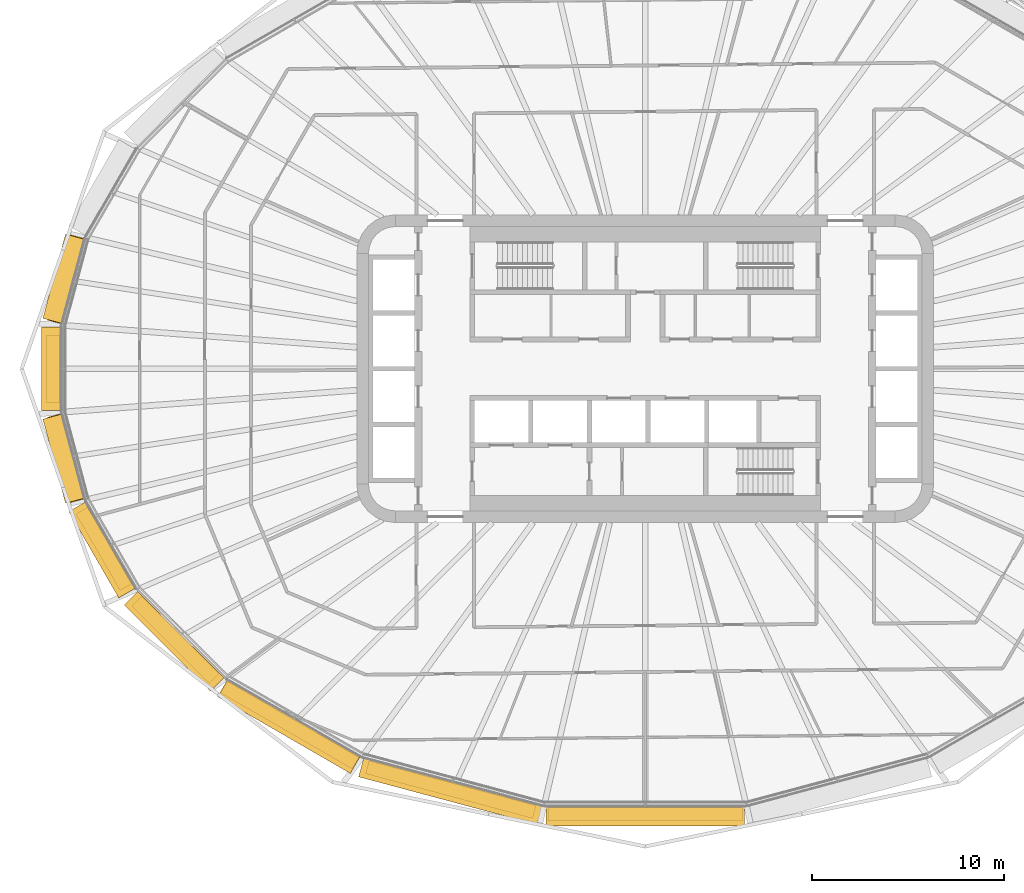
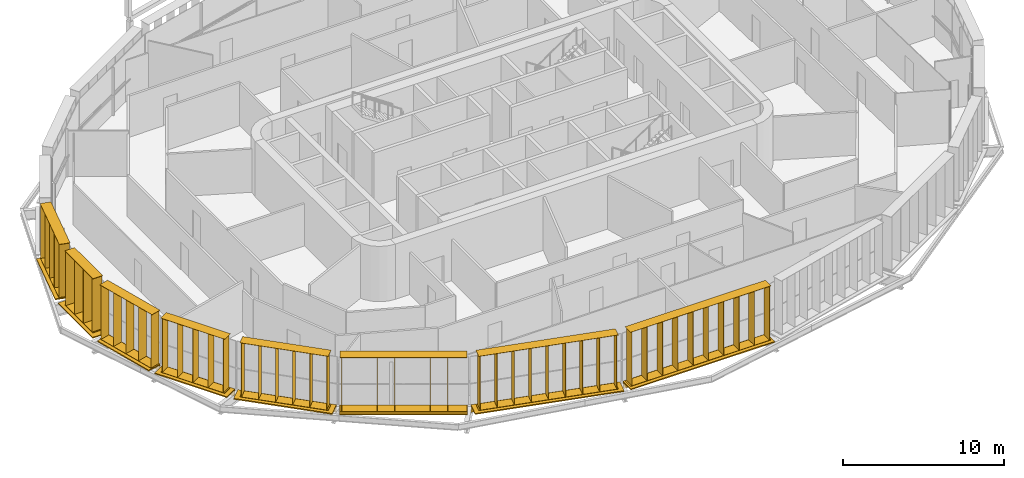
# One storey, part 17 of 22: 16 shading devices.
"""IFC4 building model written with IfcOpenShell, lengths in metres."""

from ifc_helpers import new_model, si_unit, direction, frame, origin, origin_2d, place, context, subcontext, project, spatial, rectangle, extrude, material, type_object, element, save


model = new_model("IFC4")

# Units and contexts
model_context = context("Model", 3, precision=1e-05, world=origin(), true_north=direction((0.0, 1.0)))
body_context = subcontext(model_context, "Body", "Model", "MODEL_VIEW")
ifc_project = project(units=[si_unit("LENGTHUNIT", "METRE"), si_unit("AREAUNIT", "SQUARE_METRE"), si_unit("VOLUMEUNIT", "CUBIC_METRE"), si_unit("PLANEANGLEUNIT", "RADIAN"), si_unit("MASSUNIT", "GRAM", prefix="KILO")], contexts=[model_context])

# Site, building, storey
site_placement = place(None, origin())
site = spatial("IfcSite", under=ifc_project, at=site_placement, CompositionType="ELEMENT")
building_placement = place(site_placement, origin())
building = spatial("IfcBuilding", under=site, at=building_placement, Name="Sahrelin Media Tower", CompositionType="ELEMENT")
storey_placement = place(building_placement, frame((0.0, 0.0, 50.39990234375)))
storey = spatial("IfcBuildingStorey", under=building, at=storey_placement, Name="L07", CompositionType="ELEMENT", Elevation=50.39990234375)

# Shading devices
ifc_material = material(Name="Champagne anodised aluminium 6063-T6", Category="aluminium")
shading_device_type_1 = type_object("IfcShadingDeviceType", Name="Fin cassette", PredefinedType="USERDEFINED", material=ifc_material)
placement_1 = place(storey_placement, frame((-29.755126953125, 4.5458984375, 0.0), z_axis=(0.0, 0.0, 1.0), x_axis=(0.258807731996, 0.965928857556, 0.0)))
element("IfcShadingDevice", 1, at=placement_1, inside=storey, type_object=shading_device_type_1, Name="L07:FIN:L07-11", ObjectType="FIN", PredefinedType="USERDEFINED", context=body_context, shape_type="SweptSolid", body=[
    extrude(rectangle(XDim=4.60009765625, YDim=0.699951171875, at=origin_2d()), frame((0.0, 0.419921875, 0.0)), (0.0, 0.0, 1.0), 0.02001953125),
    extrude(rectangle(XDim=4.60009765625, YDim=0.699951171875, at=origin_2d()), frame((0.0, 0.419921875, 4.10009765625)), (0.0, 0.0, 1.0), 0.02001953125),
    extrude(rectangle(XDim=0.02001953125, YDim=0.699951171875, at=origin_2d()), frame((-2.199951171875, 0.419921875, 0.010009765625), z_axis=(0.0, 0.0, 1.0), x_axis=(1.0, 0.0, 0.0)), (0.0, 0.0, 1.0), 4.10009765625),
    extrude(rectangle(XDim=0.02001953125, YDim=0.699951171875, at=origin_2d()), frame((-1.10009765625, 0.419921875, 0.010009765625), z_axis=(0.0, 0.0, 1.0), x_axis=(1.0, 0.0, 0.0)), (0.0, 0.0, 1.0), 4.10009765625),
    extrude(rectangle(XDim=0.02001953125, YDim=0.699951171875, at=origin_2d()), frame((0.0, 0.419921875, 0.010009765625), z_axis=(0.0, 0.0, 1.0), x_axis=(1.0, 0.0, 0.0)), (0.0, 0.0, 1.0), 4.10009765625),
    extrude(rectangle(XDim=0.02001953125, YDim=0.699951171875, at=origin_2d()), frame((1.10009765625, 0.419921875, 0.010009765625), z_axis=(0.0, 0.0, 1.0), x_axis=(1.0, 0.0, 0.0)), (0.0, 0.0, 1.0), 4.10009765625),
    extrude(rectangle(XDim=0.02001953125, YDim=0.699951171875, at=origin_2d()), frame((2.199951171875, 0.419921875, 0.010009765625), z_axis=(0.0, 0.0, 1.0), x_axis=(1.0, 0.0, 0.0)), (0.0, 0.0, 1.0), 4.10009765625),
])
placement_2 = place(storey_placement, frame((-30.3671875, 0.0, 0.0), z_axis=(0.0, 0.0, 1.0), x_axis=(0.0, 1.0, 0.0)))
element("IfcShadingDevice", 2, at=placement_2, inside=storey, type_object=shading_device_type_1, Name="L07:FIN:L07-12", ObjectType="FIN", PredefinedType="USERDEFINED", context=body_context, shape_type="SweptSolid", body=[
    extrude(rectangle(XDim=3.5, YDim=0.699951171875, at=origin_2d()), frame((0.0, 0.419921875, 0.0)), (0.0, 0.0, 1.0), 0.02001953125),
    extrude(rectangle(XDim=3.5, YDim=0.699951171875, at=origin_2d()), frame((0.0, 0.419921875, 4.10009765625)), (0.0, 0.0, 1.0), 0.02001953125),
    extrude(rectangle(XDim=0.02001953125, YDim=0.699951171875, at=origin_2d()), frame((-1.64990234375, 0.419921875, 0.010009765625), z_axis=(0.0, 0.0, 1.0), x_axis=(1.0, 0.0, 0.0)), (0.0, 0.0, 1.0), 4.10009765625),
    extrude(rectangle(XDim=0.02001953125, YDim=0.699951171875, at=origin_2d()), frame((-0.550048828125, 0.419921875, 0.010009765625), z_axis=(0.0, 0.0, 1.0), x_axis=(1.0, 0.0, 0.0)), (0.0, 0.0, 1.0), 4.10009765625),
    extrude(rectangle(XDim=0.02001953125, YDim=0.699951171875, at=origin_2d()), frame((0.550048828125, 0.419921875, 0.010009765625), z_axis=(0.0, 0.0, 1.0), x_axis=(1.0, 0.0, 0.0)), (0.0, 0.0, 1.0), 4.10009765625),
    extrude(rectangle(XDim=0.02001953125, YDim=0.699951171875, at=origin_2d()), frame((1.64990234375, 0.419921875, 0.010009765625), z_axis=(0.0, 0.0, 1.0), x_axis=(1.0, 0.0, 0.0)), (0.0, 0.0, 1.0), 4.10009765625),
])
placement_3 = place(storey_placement, frame((-29.755126953125, -4.5458984375, 0.0), z_axis=(0.0, 0.0, 1.0), x_axis=(-0.258807731996, 0.965928857556, 0.0)))
element("IfcShadingDevice", 3, at=placement_3, inside=storey, type_object=shading_device_type_1, Name="L07:FIN:L07-13", ObjectType="FIN", PredefinedType="USERDEFINED", context=body_context, shape_type="SweptSolid", body=[
    extrude(rectangle(XDim=4.60009765625, YDim=0.699951171875, at=origin_2d()), frame((0.0, 0.419921875, 0.0)), (0.0, 0.0, 1.0), 0.02001953125),
    extrude(rectangle(XDim=4.60009765625, YDim=0.699951171875, at=origin_2d()), frame((0.0, 0.419921875, 4.10009765625)), (0.0, 0.0, 1.0), 0.02001953125),
    extrude(rectangle(XDim=0.02001953125, YDim=0.699951171875, at=origin_2d()), frame((-2.199951171875, 0.419921875, 0.010009765625), z_axis=(0.0, 0.0, 1.0), x_axis=(1.0, 0.0, 0.0)), (0.0, 0.0, 1.0), 4.10009765625),
    extrude(rectangle(XDim=0.02001953125, YDim=0.699951171875, at=origin_2d()), frame((-1.10009765625, 0.419921875, 0.010009765625), z_axis=(0.0, 0.0, 1.0), x_axis=(1.0, 0.0, 0.0)), (0.0, 0.0, 1.0), 4.10009765625),
    extrude(rectangle(XDim=0.02001953125, YDim=0.699951171875, at=origin_2d()), frame((0.0, 0.419921875, 0.010009765625), z_axis=(0.0, 0.0, 1.0), x_axis=(1.0, 0.0, 0.0)), (0.0, 0.0, 1.0), 4.10009765625),
    extrude(rectangle(XDim=0.02001953125, YDim=0.699951171875, at=origin_2d()), frame((1.10009765625, 0.419921875, 0.010009765625), z_axis=(0.0, 0.0, 1.0), x_axis=(1.0, 0.0, 0.0)), (0.0, 0.0, 1.0), 4.10009765625),
    extrude(rectangle(XDim=0.02001953125, YDim=0.699951171875, at=origin_2d()), frame((2.199951171875, 0.419921875, 0.010009765625), z_axis=(0.0, 0.0, 1.0), x_axis=(1.0, 0.0, 0.0)), (0.0, 0.0, 1.0), 4.10009765625),
])
placement_4 = place(storey_placement, frame((-27.79638671875, -9.162841796875, 0.0), z_axis=(0.0, 0.0, 1.0), x_axis=(-0.500011000363, 0.866019052629, 0.0)))
element("IfcShadingDevice", 4, at=placement_4, inside=storey, type_object=shading_device_type_1, Name="L07:FIN:L07-14", ObjectType="FIN", PredefinedType="USERDEFINED", context=body_context, shape_type="SweptSolid", body=[
    extrude(rectangle(XDim=4.60009765625, YDim=0.699951171875, at=origin_2d()), frame((0.0, 0.419921875, 0.0)), (0.0, 0.0, 1.0), 0.02001953125),
    extrude(rectangle(XDim=4.60009765625, YDim=0.699951171875, at=origin_2d()), frame((0.0, 0.419921875, 4.10009765625)), (0.0, 0.0, 1.0), 0.02001953125),
    extrude(rectangle(XDim=0.02001953125, YDim=0.699951171875, at=origin_2d()), frame((-2.199951171875, 0.419921875, 0.010009765625), z_axis=(0.0, 0.0, 1.0), x_axis=(1.0, 0.0, 0.0)), (0.0, 0.0, 1.0), 4.10009765625),
    extrude(rectangle(XDim=0.02001953125, YDim=0.699951171875, at=origin_2d()), frame((-1.10009765625, 0.419921875, 0.010009765625), z_axis=(0.0, 0.0, 1.0), x_axis=(1.0, 0.0, 0.0)), (0.0, 0.0, 1.0), 4.10009765625),
    extrude(rectangle(XDim=0.02001953125, YDim=0.699951171875, at=origin_2d()), frame((0.0, 0.419921875, 0.010009765625), z_axis=(0.0, 0.0, 1.0), x_axis=(1.0, 0.0, 0.0)), (0.0, 0.0, 1.0), 4.10009765625),
    extrude(rectangle(XDim=0.02001953125, YDim=0.699951171875, at=origin_2d()), frame((1.10009765625, 0.419921875, 0.010009765625), z_axis=(0.0, 0.0, 1.0), x_axis=(1.0, 0.0, 0.0)), (0.0, 0.0, 1.0), 4.10009765625),
    extrude(rectangle(XDim=0.02001953125, YDim=0.699951171875, at=origin_2d()), frame((2.199951171875, 0.419921875, 0.010009765625), z_axis=(0.0, 0.0, 1.0), x_axis=(1.0, 0.0, 0.0)), (0.0, 0.0, 1.0), 4.10009765625),
])
placement_5 = place(storey_placement, frame((-24.13427734375, -13.810791015625, 0.0), z_axis=(0.0, 0.0, 1.0), x_axis=(-0.707106781187, 0.707106781187, 0.0)))
element("IfcShadingDevice", 5, at=placement_5, inside=storey, type_object=shading_device_type_1, Name="L07:FIN:L07-15", ObjectType="FIN", PredefinedType="USERDEFINED", context=body_context, shape_type="SweptSolid", body=[
    extrude(rectangle(XDim=5.699951171875, YDim=0.699951171875, at=origin_2d()), frame((0.0, 0.419921875, 0.0)), (0.0, 0.0, 1.0), 0.02001953125),
    extrude(rectangle(XDim=5.699951171875, YDim=0.699951171875, at=origin_2d()), frame((0.0, 0.419921875, 4.10009765625)), (0.0, 0.0, 1.0), 0.02001953125),
    extrude(rectangle(XDim=0.02001953125, YDim=0.699951171875, at=origin_2d()), frame((-2.75, 0.419921875, 0.010009765625), z_axis=(0.0, 0.0, 1.0), x_axis=(1.0, 0.0, 0.0)), (0.0, 0.0, 1.0), 4.10009765625),
    extrude(rectangle(XDim=0.02001953125, YDim=0.699951171875, at=origin_2d()), frame((-1.64990234375, 0.419921875, 0.010009765625), z_axis=(0.0, 0.0, 1.0), x_axis=(1.0, 0.0, 0.0)), (0.0, 0.0, 1.0), 4.10009765625),
    extrude(rectangle(XDim=0.02001953125, YDim=0.699951171875, at=origin_2d()), frame((-0.550048828125, 0.419921875, 0.010009765625), z_axis=(0.0, 0.0, 1.0), x_axis=(1.0, 0.0, 0.0)), (0.0, 0.0, 1.0), 4.10009765625),
    extrude(rectangle(XDim=0.02001953125, YDim=0.699951171875, at=origin_2d()), frame((0.550048828125, 0.419921875, 0.010009765625), z_axis=(0.0, 0.0, 1.0), x_axis=(1.0, 0.0, 0.0)), (0.0, 0.0, 1.0), 4.10009765625),
    extrude(rectangle(XDim=0.02001953125, YDim=0.699951171875, at=origin_2d()), frame((1.64990234375, 0.419921875, 0.010009765625), z_axis=(0.0, 0.0, 1.0), x_axis=(1.0, 0.0, 0.0)), (0.0, 0.0, 1.0), 4.10009765625),
    extrude(rectangle(XDim=0.02001953125, YDim=0.699951171875, at=origin_2d()), frame((2.75, 0.419921875, 0.010009765625), z_axis=(0.0, 0.0, 1.0), x_axis=(1.0, 0.0, 0.0)), (0.0, 0.0, 1.0), 4.10009765625),
])
placement_6 = place(storey_placement, frame((-18.27880859375, -18.170166015625, 0.0), z_axis=(0.0, 0.0, 1.0), x_axis=(-0.866019052629, 0.500011000363, 0.0)))
element("IfcShadingDevice", 6, at=placement_6, inside=storey, type_object=shading_device_type_1, Name="L07:FIN:L07-16", ObjectType="FIN", PredefinedType="USERDEFINED", context=body_context, shape_type="SweptSolid", body=[
    extrude(rectangle(XDim=7.89990234375, YDim=0.699951171875, at=origin_2d()), frame((0.0, 0.419921875, 0.0)), (0.0, 0.0, 1.0), 0.02001953125),
    extrude(rectangle(XDim=7.89990234375, YDim=0.699951171875, at=origin_2d()), frame((0.0, 0.419921875, 4.10009765625)), (0.0, 0.0, 1.0), 0.02001953125),
    extrude(rectangle(XDim=0.02001953125, YDim=0.699951171875, at=origin_2d()), frame((-3.85009765625, 0.419921875, 0.010009765625), z_axis=(0.0, 0.0, 1.0), x_axis=(1.0, 0.0, 0.0)), (0.0, 0.0, 1.0), 4.10009765625),
    extrude(rectangle(XDim=0.02001953125, YDim=0.699951171875, at=origin_2d()), frame((-2.75, 0.419921875, 0.010009765625), z_axis=(0.0, 0.0, 1.0), x_axis=(1.0, 0.0, 0.0)), (0.0, 0.0, 1.0), 4.10009765625),
    extrude(rectangle(XDim=0.02001953125, YDim=0.699951171875, at=origin_2d()), frame((-1.64990234375, 0.419921875, 0.010009765625), z_axis=(0.0, 0.0, 1.0), x_axis=(1.0, 0.0, 0.0)), (0.0, 0.0, 1.0), 4.10009765625),
    extrude(rectangle(XDim=0.02001953125, YDim=0.699951171875, at=origin_2d()), frame((-0.550048828125, 0.419921875, 0.010009765625), z_axis=(0.0, 0.0, 1.0), x_axis=(1.0, 0.0, 0.0)), (0.0, 0.0, 1.0), 4.10009765625),
    extrude(rectangle(XDim=0.02001953125, YDim=0.699951171875, at=origin_2d()), frame((0.550048828125, 0.419921875, 0.010009765625), z_axis=(0.0, 0.0, 1.0), x_axis=(1.0, 0.0, 0.0)), (0.0, 0.0, 1.0), 4.10009765625),
    extrude(rectangle(XDim=0.02001953125, YDim=0.699951171875, at=origin_2d()), frame((1.64990234375, 0.419921875, 0.010009765625), z_axis=(0.0, 0.0, 1.0), x_axis=(1.0, 0.0, 0.0)), (0.0, 0.0, 1.0), 4.10009765625),
    extrude(rectangle(XDim=0.02001953125, YDim=0.699951171875, at=origin_2d()), frame((2.75, 0.419921875, 0.010009765625), z_axis=(0.0, 0.0, 1.0), x_axis=(1.0, 0.0, 0.0)), (0.0, 0.0, 1.0), 4.10009765625),
    extrude(rectangle(XDim=0.02001953125, YDim=0.699951171875, at=origin_2d()), frame((3.85009765625, 0.419921875, 0.010009765625), z_axis=(0.0, 0.0, 1.0), x_axis=(1.0, 0.0, 0.0)), (0.0, 0.0, 1.0), 4.10009765625),
])
placement_7 = place(storey_placement, frame((-10.003173828125, -21.48291015625, 0.0), z_axis=(0.0, 0.0, 1.0), x_axis=(-0.965928857556, 0.258807731996, 0.0)))
element("IfcShadingDevice", 7, at=placement_7, inside=storey, type_object=shading_device_type_1, Name="L07:FIN:L07-17", ObjectType="FIN", PredefinedType="USERDEFINED", context=body_context, shape_type="SweptSolid", body=[
    extrude(rectangle(XDim=9.0, YDim=0.699951171875, at=origin_2d()), frame((0.0, 0.419921875, 0.0)), (0.0, 0.0, 1.0), 0.02001953125),
    extrude(rectangle(XDim=9.0, YDim=0.699951171875, at=origin_2d()), frame((0.0, 0.419921875, 4.10009765625)), (0.0, 0.0, 1.0), 0.02001953125),
    extrude(rectangle(XDim=0.02001953125, YDim=0.699951171875, at=origin_2d()), frame((-4.39990234375, 0.419921875, 0.010009765625), z_axis=(0.0, 0.0, 1.0), x_axis=(1.0, 0.0, 0.0)), (0.0, 0.0, 1.0), 4.10009765625),
    extrude(rectangle(XDim=0.02001953125, YDim=0.699951171875, at=origin_2d()), frame((-3.300048828125, 0.419921875, 0.010009765625), z_axis=(0.0, 0.0, 1.0), x_axis=(1.0, 0.0, 0.0)), (0.0, 0.0, 1.0), 4.10009765625),
    extrude(rectangle(XDim=0.02001953125, YDim=0.699951171875, at=origin_2d()), frame((-2.199951171875, 0.419921875, 0.010009765625), z_axis=(0.0, 0.0, 1.0), x_axis=(1.0, 0.0, 0.0)), (0.0, 0.0, 1.0), 4.10009765625),
    extrude(rectangle(XDim=0.02001953125, YDim=0.699951171875, at=origin_2d()), frame((-1.10009765625, 0.419921875, 0.010009765625), z_axis=(0.0, 0.0, 1.0), x_axis=(1.0, 0.0, 0.0)), (0.0, 0.0, 1.0), 4.10009765625),
    extrude(rectangle(XDim=0.02001953125, YDim=0.699951171875, at=origin_2d()), frame((0.0, 0.419921875, 0.010009765625), z_axis=(0.0, 0.0, 1.0), x_axis=(1.0, 0.0, 0.0)), (0.0, 0.0, 1.0), 4.10009765625),
    extrude(rectangle(XDim=0.02001953125, YDim=0.699951171875, at=origin_2d()), frame((1.10009765625, 0.419921875, 0.010009765625), z_axis=(0.0, 0.0, 1.0), x_axis=(1.0, 0.0, 0.0)), (0.0, 0.0, 1.0), 4.10009765625),
    extrude(rectangle(XDim=0.02001953125, YDim=0.699951171875, at=origin_2d()), frame((2.199951171875, 0.419921875, 0.010009765625), z_axis=(0.0, 0.0, 1.0), x_axis=(1.0, 0.0, 0.0)), (0.0, 0.0, 1.0), 4.10009765625),
    extrude(rectangle(XDim=0.02001953125, YDim=0.699951171875, at=origin_2d()), frame((3.300048828125, 0.419921875, 0.010009765625), z_axis=(0.0, 0.0, 1.0), x_axis=(1.0, 0.0, 0.0)), (0.0, 0.0, 1.0), 4.10009765625),
    extrude(rectangle(XDim=0.02001953125, YDim=0.699951171875, at=origin_2d()), frame((4.39990234375, 0.419921875, 0.010009765625), z_axis=(0.0, 0.0, 1.0), x_axis=(1.0, 0.0, 0.0)), (0.0, 0.0, 1.0), 4.10009765625),
])
placement_8 = place(storey_placement, frame((0.0, -22.751708984375, 0.0), z_axis=(0.0, 0.0, 1.0), x_axis=(-1.0, 0.0, 0.0)))
element("IfcShadingDevice", 8, at=placement_8, inside=storey, type_object=shading_device_type_1, Name="L07:FIN:L07-18", ObjectType="FIN", PredefinedType="USERDEFINED", context=body_context, shape_type="SweptSolid", body=[
    extrude(rectangle(XDim=10.10009765625, YDim=0.699951171875, at=origin_2d()), frame((0.0, 0.419921875, 0.0)), (0.0, 0.0, 1.0), 0.02001953125),
    extrude(rectangle(XDim=10.10009765625, YDim=0.699951171875, at=origin_2d()), frame((0.0, 0.419921875, 4.10009765625)), (0.0, 0.0, 1.0), 0.02001953125),
    extrude(rectangle(XDim=0.02001953125, YDim=0.699951171875, at=origin_2d()), frame((-4.949951171875, 0.419921875, 0.010009765625), z_axis=(0.0, 0.0, 1.0), x_axis=(1.0, 0.0, 0.0)), (0.0, 0.0, 1.0), 4.10009765625),
    extrude(rectangle(XDim=0.02001953125, YDim=0.699951171875, at=origin_2d()), frame((-3.85009765625, 0.419921875, 0.010009765625), z_axis=(0.0, 0.0, 1.0), x_axis=(1.0, 0.0, 0.0)), (0.0, 0.0, 1.0), 4.10009765625),
    extrude(rectangle(XDim=0.02001953125, YDim=0.699951171875, at=origin_2d()), frame((-2.75, 0.419921875, 0.010009765625), z_axis=(0.0, 0.0, 1.0), x_axis=(1.0, 0.0, 0.0)), (0.0, 0.0, 1.0), 4.10009765625),
    extrude(rectangle(XDim=0.02001953125, YDim=0.699951171875, at=origin_2d()), frame((-1.64990234375, 0.419921875, 0.010009765625), z_axis=(0.0, 0.0, 1.0), x_axis=(1.0, 0.0, 0.0)), (0.0, 0.0, 1.0), 4.10009765625),
    extrude(rectangle(XDim=0.02001953125, YDim=0.699951171875, at=origin_2d()), frame((-0.550048828125, 0.419921875, 0.010009765625), z_axis=(0.0, 0.0, 1.0), x_axis=(1.0, 0.0, 0.0)), (0.0, 0.0, 1.0), 4.10009765625),
    extrude(rectangle(XDim=0.02001953125, YDim=0.699951171875, at=origin_2d()), frame((0.550048828125, 0.419921875, 0.010009765625), z_axis=(0.0, 0.0, 1.0), x_axis=(1.0, 0.0, 0.0)), (0.0, 0.0, 1.0), 4.10009765625),
    extrude(rectangle(XDim=0.02001953125, YDim=0.699951171875, at=origin_2d()), frame((1.64990234375, 0.419921875, 0.010009765625), z_axis=(0.0, 0.0, 1.0), x_axis=(1.0, 0.0, 0.0)), (0.0, 0.0, 1.0), 4.10009765625),
    extrude(rectangle(XDim=0.02001953125, YDim=0.699951171875, at=origin_2d()), frame((2.75, 0.419921875, 0.010009765625), z_axis=(0.0, 0.0, 1.0), x_axis=(1.0, 0.0, 0.0)), (0.0, 0.0, 1.0), 4.10009765625),
    extrude(rectangle(XDim=0.02001953125, YDim=0.699951171875, at=origin_2d()), frame((3.85009765625, 0.419921875, 0.010009765625), z_axis=(0.0, 0.0, 1.0), x_axis=(1.0, 0.0, 0.0)), (0.0, 0.0, 1.0), 4.10009765625),
    extrude(rectangle(XDim=0.02001953125, YDim=0.699951171875, at=origin_2d()), frame((4.949951171875, 0.419921875, 0.010009765625), z_axis=(0.0, 0.0, 1.0), x_axis=(1.0, 0.0, 0.0)), (0.0, 0.0, 1.0), 4.10009765625),
])
shading_device_type_2 = type_object("IfcShadingDeviceType", Name="Sunshade band", PredefinedType="USERDEFINED", material=ifc_material)
element("IfcShadingDevice", 9, at=placement_1, inside=storey, type_object=shading_device_type_2, Name="L07:SUN:L07-11", ObjectType="SUNSHADE", PredefinedType="USERDEFINED", context=body_context, shape_type="SweptSolid", body=[
    extrude(rectangle(XDim=4.530517578125, YDim=0.050048828125, at=origin_2d()), frame((0.0, 0.044921875, -0.55126953125)), (0.0, 0.0, 1.0), 0.471435546875),
    extrude(rectangle(XDim=4.530517578125, YDim=1.0, at=origin_2d()), frame((0.0, 0.52001953125, -0.080078125)), (0.0, 0.0, 1.0), 0.080078125),
    extrude(rectangle(XDim=0.10009765625, YDim=0.074951171875, at=origin_2d()), frame((-2.165283203125, -0.017578125, -0.47021484375)), (0.0, 0.0, 1.0), 0.300048828125),
    extrude(rectangle(XDim=0.10009765625, YDim=0.074951171875, at=origin_2d()), frame((-0.7216796875, -0.017578125, -0.47021484375)), (0.0, 0.0, 1.0), 0.300048828125),
    extrude(rectangle(XDim=0.10009765625, YDim=0.074951171875, at=origin_2d()), frame((0.7216796875, -0.017578125, -0.47021484375)), (0.0, 0.0, 1.0), 0.300048828125),
    extrude(rectangle(XDim=0.10009765625, YDim=0.074951171875, at=origin_2d()), frame((2.165283203125, -0.017578125, -0.47021484375)), (0.0, 0.0, 1.0), 0.300048828125),
])
element("IfcShadingDevice", 10, at=placement_2, inside=storey, type_object=shading_device_type_2, Name="L07:SUN:L07-12", ObjectType="SUNSHADE", PredefinedType="USERDEFINED", context=body_context, shape_type="SweptSolid", body=[
    extrude(rectangle(XDim=4.322509765625, YDim=0.050048828125, at=origin_2d()), frame((0.0, 0.044921875, -0.55126953125)), (0.0, 0.0, 1.0), 0.471435546875),
    extrude(rectangle(XDim=4.322509765625, YDim=1.0, at=origin_2d()), frame((0.0, 0.52001953125, -0.080078125)), (0.0, 0.0, 1.0), 0.080078125),
    extrude(rectangle(XDim=0.10009765625, YDim=0.074951171875, at=origin_2d()), frame((-2.061279296875, -0.017578125, -0.47021484375)), (0.0, 0.0, 1.0), 0.300048828125),
    extrude(rectangle(XDim=0.10009765625, YDim=0.074951171875, at=origin_2d()), frame((-0.68701171875, -0.017578125, -0.47021484375)), (0.0, 0.0, 1.0), 0.300048828125),
    extrude(rectangle(XDim=0.10009765625, YDim=0.074951171875, at=origin_2d()), frame((0.68701171875, -0.017578125, -0.47021484375)), (0.0, 0.0, 1.0), 0.300048828125),
    extrude(rectangle(XDim=0.10009765625, YDim=0.074951171875, at=origin_2d()), frame((2.061279296875, -0.017578125, -0.47021484375)), (0.0, 0.0, 1.0), 0.300048828125),
])
element("IfcShadingDevice", 11, at=placement_3, inside=storey, type_object=shading_device_type_2, Name="L07:SUN:L07-13", ObjectType="SUNSHADE", PredefinedType="USERDEFINED", context=body_context, shape_type="SweptSolid", body=[
    extrude(rectangle(XDim=4.530517578125, YDim=0.050048828125, at=origin_2d()), frame((0.0, 0.044921875, -0.55126953125)), (0.0, 0.0, 1.0), 0.471435546875),
    extrude(rectangle(XDim=4.530517578125, YDim=1.0, at=origin_2d()), frame((0.0, 0.52001953125, -0.080078125)), (0.0, 0.0, 1.0), 0.080078125),
    extrude(rectangle(XDim=0.10009765625, YDim=0.074951171875, at=origin_2d()), frame((-2.165283203125, -0.017578125, -0.47021484375)), (0.0, 0.0, 1.0), 0.300048828125),
    extrude(rectangle(XDim=0.10009765625, YDim=0.074951171875, at=origin_2d()), frame((-0.7216796875, -0.017578125, -0.47021484375)), (0.0, 0.0, 1.0), 0.300048828125),
    extrude(rectangle(XDim=0.10009765625, YDim=0.074951171875, at=origin_2d()), frame((0.7216796875, -0.017578125, -0.47021484375)), (0.0, 0.0, 1.0), 0.300048828125),
    extrude(rectangle(XDim=0.10009765625, YDim=0.074951171875, at=origin_2d()), frame((2.165283203125, -0.017578125, -0.47021484375)), (0.0, 0.0, 1.0), 0.300048828125),
])
element("IfcShadingDevice", 12, at=placement_4, inside=storey, type_object=shading_device_type_2, Name="L07:SUN:L07-14", ObjectType="SUNSHADE", PredefinedType="USERDEFINED", context=body_context, shape_type="SweptSolid", body=[
    extrude(rectangle(XDim=5.18603515625, YDim=0.050048828125, at=origin_2d()), frame((0.0, 0.044921875, -0.55126953125)), (0.0, 0.0, 1.0), 0.471435546875),
    extrude(rectangle(XDim=5.18603515625, YDim=1.0, at=origin_2d()), frame((0.0, 0.52001953125, -0.080078125)), (0.0, 0.0, 1.0), 0.080078125),
    extrude(rectangle(XDim=0.10009765625, YDim=0.074951171875, at=origin_2d()), frame((-2.492919921875, -0.017578125, -0.47021484375)), (0.0, 0.0, 1.0), 0.300048828125),
    extrude(rectangle(XDim=0.10009765625, YDim=0.074951171875, at=origin_2d()), frame((-0.8310546875, -0.017578125, -0.47021484375)), (0.0, 0.0, 1.0), 0.300048828125),
    extrude(rectangle(XDim=0.10009765625, YDim=0.074951171875, at=origin_2d()), frame((0.8310546875, -0.017578125, -0.47021484375)), (0.0, 0.0, 1.0), 0.300048828125),
    extrude(rectangle(XDim=0.10009765625, YDim=0.074951171875, at=origin_2d()), frame((2.492919921875, -0.017578125, -0.47021484375)), (0.0, 0.0, 1.0), 0.300048828125),
])
element("IfcShadingDevice", 13, at=placement_5, inside=storey, type_object=shading_device_type_2, Name="L07:SUN:L07-15", ObjectType="SUNSHADE", PredefinedType="USERDEFINED", context=body_context, shape_type="SweptSolid", body=[
    extrude(rectangle(XDim=6.35009765625, YDim=0.050048828125, at=origin_2d()), frame((0.0, 0.044921875, -0.55126953125)), (0.0, 0.0, 1.0), 0.471435546875),
    extrude(rectangle(XDim=6.35009765625, YDim=1.0, at=origin_2d()), frame((0.0, 0.52001953125, -0.080078125)), (0.0, 0.0, 1.0), 0.080078125),
    extrude(rectangle(XDim=0.10009765625, YDim=0.074951171875, at=origin_2d()), frame((-3.0751953125, -0.017578125, -0.47021484375)), (0.0, 0.0, 1.0), 0.300048828125),
    extrude(rectangle(XDim=0.10009765625, YDim=0.074951171875, at=origin_2d()), frame((-1.53759765625, -0.017578125, -0.47021484375)), (0.0, 0.0, 1.0), 0.300048828125),
    extrude(rectangle(XDim=0.10009765625, YDim=0.074951171875, at=origin_2d()), frame((0.0, -0.017578125, -0.47021484375)), (0.0, 0.0, 1.0), 0.300048828125),
    extrude(rectangle(XDim=0.10009765625, YDim=0.074951171875, at=origin_2d()), frame((1.53759765625, -0.017578125, -0.47021484375)), (0.0, 0.0, 1.0), 0.300048828125),
    extrude(rectangle(XDim=0.10009765625, YDim=0.074951171875, at=origin_2d()), frame((3.0751953125, -0.017578125, -0.47021484375)), (0.0, 0.0, 1.0), 0.300048828125),
])
element("IfcShadingDevice", 14, at=placement_6, inside=storey, type_object=shading_device_type_2, Name="L07:SUN:L07-16", ObjectType="SUNSHADE", PredefinedType="USERDEFINED", context=body_context, shape_type="SweptSolid", body=[
    extrude(rectangle(XDim=7.97412109375, YDim=0.050048828125, at=origin_2d()), frame((0.0, 0.044921875, -0.55126953125)), (0.0, 0.0, 1.0), 0.471435546875),
    extrude(rectangle(XDim=7.97412109375, YDim=1.0, at=origin_2d()), frame((0.0, 0.52001953125, -0.080078125)), (0.0, 0.0, 1.0), 0.080078125),
    extrude(rectangle(XDim=0.10009765625, YDim=0.074951171875, at=origin_2d()), frame((-3.886962890625, -0.017578125, -0.47021484375)), (0.0, 0.0, 1.0), 0.300048828125),
    extrude(rectangle(XDim=0.10009765625, YDim=0.074951171875, at=origin_2d()), frame((-1.943603515625, -0.017578125, -0.47021484375)), (0.0, 0.0, 1.0), 0.300048828125),
    extrude(rectangle(XDim=0.10009765625, YDim=0.074951171875, at=origin_2d()), frame((0.0, -0.017578125, -0.47021484375)), (0.0, 0.0, 1.0), 0.300048828125),
    extrude(rectangle(XDim=0.10009765625, YDim=0.074951171875, at=origin_2d()), frame((1.943603515625, -0.017578125, -0.47021484375)), (0.0, 0.0, 1.0), 0.300048828125),
    extrude(rectangle(XDim=0.10009765625, YDim=0.074951171875, at=origin_2d()), frame((3.886962890625, -0.017578125, -0.47021484375)), (0.0, 0.0, 1.0), 0.300048828125),
])
element("IfcShadingDevice", 15, at=placement_7, inside=storey, type_object=shading_device_type_2, Name="L07:SUN:L07-17", ObjectType="SUNSHADE", PredefinedType="USERDEFINED", context=body_context, shape_type="SweptSolid", body=[
    extrude(rectangle(XDim=9.606689453125, YDim=0.050048828125, at=origin_2d()), frame((0.0, 0.044921875, -0.55126953125)), (0.0, 0.0, 1.0), 0.471435546875),
    extrude(rectangle(XDim=9.606689453125, YDim=1.0, at=origin_2d()), frame((0.0, 0.52001953125, -0.080078125)), (0.0, 0.0, 1.0), 0.080078125),
    extrude(rectangle(XDim=0.10009765625, YDim=0.074951171875, at=origin_2d()), frame((-4.703369140625, -0.017578125, -0.47021484375)), (0.0, 0.0, 1.0), 0.300048828125),
    extrude(rectangle(XDim=0.10009765625, YDim=0.074951171875, at=origin_2d()), frame((-2.822021484375, -0.017578125, -0.47021484375)), (0.0, 0.0, 1.0), 0.300048828125),
    extrude(rectangle(XDim=0.10009765625, YDim=0.074951171875, at=origin_2d()), frame((-0.940673828125, -0.017578125, -0.47021484375)), (0.0, 0.0, 1.0), 0.300048828125),
    extrude(rectangle(XDim=0.10009765625, YDim=0.074951171875, at=origin_2d()), frame((0.940673828125, -0.017578125, -0.47021484375)), (0.0, 0.0, 1.0), 0.300048828125),
    extrude(rectangle(XDim=0.10009765625, YDim=0.074951171875, at=origin_2d()), frame((2.822021484375, -0.017578125, -0.47021484375)), (0.0, 0.0, 1.0), 0.300048828125),
    extrude(rectangle(XDim=0.10009765625, YDim=0.074951171875, at=origin_2d()), frame((4.703369140625, -0.017578125, -0.47021484375)), (0.0, 0.0, 1.0), 0.300048828125),
])
element("IfcShadingDevice", 16, at=placement_8, inside=storey, type_object=shading_device_type_2, Name="L07:SUN:L07-18", ObjectType="SUNSHADE", PredefinedType="USERDEFINED", context=body_context, shape_type="SweptSolid", body=[
    extrude(rectangle(XDim=10.333740234375, YDim=0.050048828125, at=origin_2d()), frame((0.0, 0.044921875, -0.55126953125)), (0.0, 0.0, 1.0), 0.471435546875),
    extrude(rectangle(XDim=10.333740234375, YDim=1.0, at=origin_2d()), frame((0.0, 0.52001953125, -0.080078125)), (0.0, 0.0, 1.0), 0.080078125),
    extrude(rectangle(XDim=0.10009765625, YDim=0.074951171875, at=origin_2d()), frame((-5.06689453125, -0.017578125, -0.47021484375)), (0.0, 0.0, 1.0), 0.300048828125),
    extrude(rectangle(XDim=0.10009765625, YDim=0.074951171875, at=origin_2d()), frame((-3.3779296875, -0.017578125, -0.47021484375)), (0.0, 0.0, 1.0), 0.300048828125),
    extrude(rectangle(XDim=0.10009765625, YDim=0.074951171875, at=origin_2d()), frame((-1.68896484375, -0.017578125, -0.47021484375)), (0.0, 0.0, 1.0), 0.300048828125),
    extrude(rectangle(XDim=0.10009765625, YDim=0.074951171875, at=origin_2d()), frame((0.0, -0.017578125, -0.47021484375)), (0.0, 0.0, 1.0), 0.300048828125),
    extrude(rectangle(XDim=0.10009765625, YDim=0.074951171875, at=origin_2d()), frame((1.68896484375, -0.017578125, -0.47021484375)), (0.0, 0.0, 1.0), 0.300048828125),
    extrude(rectangle(XDim=0.10009765625, YDim=0.074951171875, at=origin_2d()), frame((3.3779296875, -0.017578125, -0.47021484375)), (0.0, 0.0, 1.0), 0.300048828125),
    extrude(rectangle(XDim=0.10009765625, YDim=0.074951171875, at=origin_2d()), frame((5.06689453125, -0.017578125, -0.47021484375)), (0.0, 0.0, 1.0), 0.300048828125),
])

save(model, "model.ifc")
